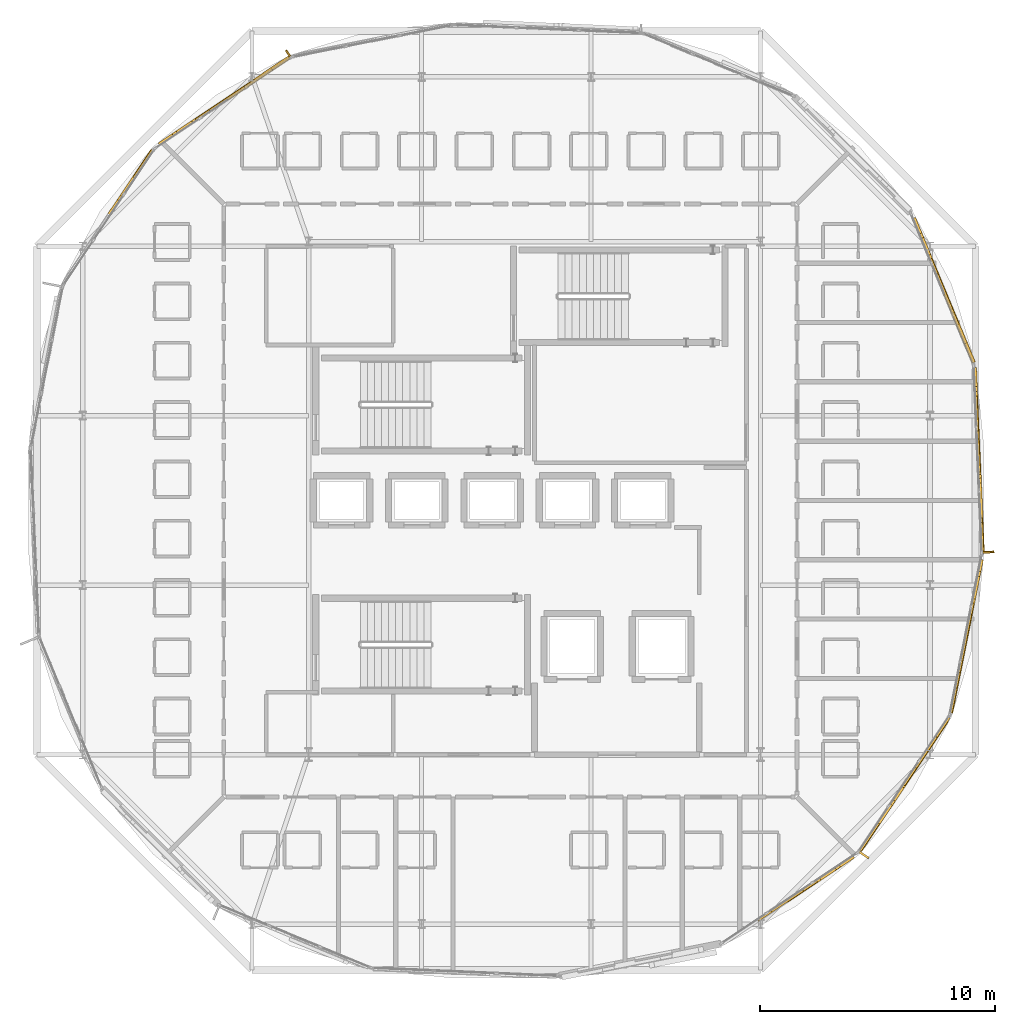
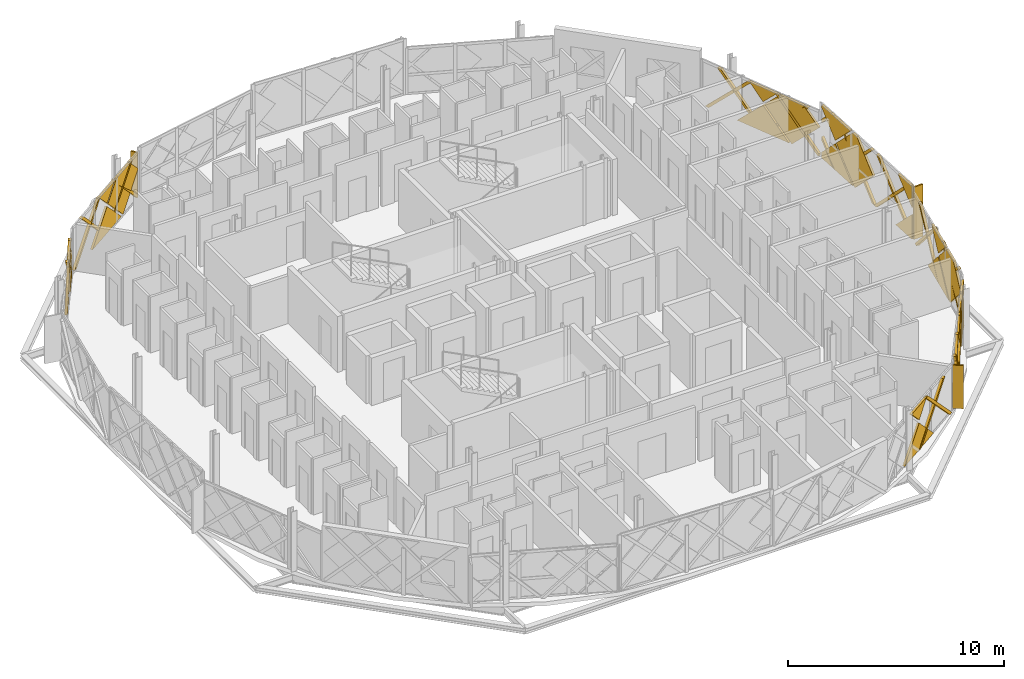
# One storey, part 23 of 24: 47 coverings, 3 shading devices.
"""IFC4 building model written with IfcOpenShell, lengths in metres."""

from ifc_helpers import new_model, si_unit, direction, frame, origin, origin_2d, place, context, subcontext, project, spatial, polyline, rectangle, outline, extrude, material, layer, layer_set, type_object, element, save


model = new_model("IFC4")

# Units and contexts
model_context = context("Model", 3, precision=1e-05, world=origin(), true_north=direction((0.0, 1.0)))
body_context = subcontext(model_context, "Body", "Model", "MODEL_VIEW")
ifc_project = project(units=[si_unit("LENGTHUNIT", "METRE"), si_unit("AREAUNIT", "SQUARE_METRE"), si_unit("VOLUMEUNIT", "CUBIC_METRE"), si_unit("PLANEANGLEUNIT", "RADIAN"), si_unit("MASSUNIT", "GRAM", prefix="KILO")], contexts=[model_context])

# Site, building, storey
site_placement = place(None, origin())
site = spatial("IfcSite", under=ifc_project, at=site_placement, CompositionType="ELEMENT")
building_placement = place(site_placement, origin())
building = spatial("IfcBuilding", under=site, at=building_placement, Name="Zevrakil Square Congress Hotel", CompositionType="ELEMENT")
storey_placement = place(building_placement, frame((0.0, 0.0, 35.10009765625)))
storey = spatial("IfcBuildingStorey", under=building, at=storey_placement, Name="L10", CompositionType="ELEMENT", Elevation=35.10009765625)

# Coverings
ifc_material_1 = material(Name="Architectural White Fibre-C GRC", Category="concrete")
ifc_layer_1 = layer(ifc_material_1, 0.06494140625)
ifc_layer_set_1 = layer_set([ifc_layer_1], Name="Architectural White Fibre-C GRC")
covering_type_1 = type_object("IfcCoveringType", Name="COV-DIA-WHITE", PredefinedType="CLADDING", material=ifc_layer_set_1)
covering_1_placement = place(storey_placement, frame((157.1640625, 10.55322265625, 1.58984375), z_axis=(0.555557978924, -0.831477563043, 0.000627862189), x_axis=(0.588198863079, 0.392475548484, -0.70709620372)))
element("IfcCovering", 1, at=covering_1_placement, inside=storey, type_object=covering_type_1, Name="L10 45-degree white GRC diamond facade cassette 3087", PredefinedType="CLADDING", context=body_context, shape_type="SweptSolid", body=[
    extrude(outline(polyline([(0.0, 0.0), (2.1355082344953917, -4.440892098500626e-16), (7.921204851379926e-05, -2.1353659787443657), (0.0, 0.0)])), origin(), (0.0, 0.0, -1.0), 0.1201171875),
])
covering_2_placement = place(storey_placement, frame((157.1640625, 10.55322265625, 1.77001953125), z_axis=(0.555579993223, -0.831462615511, 0.000888896987), x_axis=(-0.588337126481, -0.392368633875, 0.707040508567)))
element("IfcCovering", 2, at=covering_2_placement, inside=storey, type_object=covering_type_1, Name="L10 45-degree white GRC diamond facade cassette 3089", PredefinedType="CLADDING", context=body_context, shape_type="SweptSolid", body=[
    extrude(outline(polyline([(0.0, 0.0), (1.1312006565523738, -1.1102230246251565e-16), (-0.00026008518020848026, -1.1312495759867551), (0.0, 0.0)])), origin(), (0.0, 0.0, -1.0), 0.1201171875),
])
covering_3_placement = place(storey_placement, frame((161.06103515625, 13.859619140625, 0.079833984375), z_axis=(0.83143696172, -0.555618744306, 0.000624229289), x_axis=(-0.555618852558, -0.831437123709, 0.0)))
element("IfcCovering", 3, at=covering_3_placement, inside=storey, type_object=covering_type_1, Name="L10 45-degree white GRC diamond facade cassette 3094", PredefinedType="CLADDING", context=body_context, shape_type="SweptSolid", body=[
    extrude(outline(polyline([(0.0, 0.0), (1.4100444252712594, 1.0842021724855044e-19), (1.410045397514974, -1.4101565247423773), (0.0, 0.0)])), origin(), (0.0, 0.0, -1.0), 0.1201171875),
])
covering_4_placement = place(storey_placement, frame((163.954833984375, 18.192138671875, 1.58984375), z_axis=(0.831500911431, -0.555523114387, 0.000551063103), x_axis=(0.393265910629, 0.587934905088, -0.706876559886)))
element("IfcCovering", 4, at=covering_4_placement, inside=storey, type_object=covering_type_1, Name="L10 45-degree white GRC diamond facade cassette 3095", PredefinedType="CLADDING", context=body_context, shape_type="SweptSolid", body=[
    extrude(outline(polyline([(0.0, 0.0), (0.2624884096008461, 2.7755575615628914e-17), (1.198625128202432, -0.9369367464234064), (-0.0007264245541049874, -2.1355081102954694), (0.0, 0.0)])), origin(), (0.0, 0.0, -1.0), 0.1201171875),
])
covering_5_placement = place(storey_placement, frame((163.90478515625, 18.1171875, 1.679931640625), z_axis=(0.831456289762, -0.555589850759, 0.000596613623), x_axis=(-0.392494232633, -0.588138327317, -0.707136185816)))
element("IfcCovering", 5, at=covering_5_placement, inside=storey, type_object=covering_type_1, Name="L10 45-degree white GRC diamond facade cassette 3096", PredefinedType="CLADDING", context=body_context, shape_type="SweptSolid", body=[
    extrude(outline(polyline([(0.0, 0.0), (2.2486303584631306, 2.220446049250313e-16), (2.248539757424969, -2.2487276215386878), (0.9899569613863572, -2.2485905336373424), (-0.00011098493823047395, -1.2584400080724292), (0.0, 0.0)])), origin(), (0.0, 0.0, -1.0), 0.1201171875),
])
covering_6_placement = place(storey_placement, frame((163.95458984375, 18.192138671875, 1.77001953125), z_axis=(0.831360580533, -0.555733111442, 0.000542202423), x_axis=(-0.39330186769, -0.587678306922, 0.707069903506)))
element("IfcCovering", 6, at=covering_6_placement, inside=storey, type_object=covering_type_1, Name="L10 45-degree white GRC diamond facade cassette 3097", PredefinedType="CLADDING", context=body_context, shape_type="SweptSolid", body=[
    extrude(outline(polyline([(0.0, 0.0), (1.131153573380724, 2.220446049250313e-16), (0.4342725950457913, -0.6968085559852205), (-0.0002426590941996265, -0.2626318785332912), (0.0, 0.0)])), origin(), (0.0, 0.0, -1.0), 0.1201171875),
])
covering_7_placement = place(storey_placement, frame((164.782958984375, 21.759033203125, 1.58984375), z_axis=(0.980772761195, -0.195152113874, 0.00066584368), x_axis=(0.138452026145, 0.693403417479, -0.70712285855)))
element("IfcCovering", 7, at=covering_7_placement, inside=storey, type_object=covering_type_1, Name="L10 45-degree white GRC diamond facade cassette 3102", PredefinedType="CLADDING", context=body_context, shape_type="SweptSolid", body=[
    extrude(outline(polyline([(0.0, 0.0), (2.1354277370134915, 0.0), (2.8945028464733014e-05, -2.13549684649022), (0.0, 0.0)])), origin(), (0.0, 0.0, -1.0), 0.1201171875),
])
covering_8_placement = place(storey_placement, frame((164.765380859375, 21.670654296875, 1.679931640625), z_axis=(0.980787088009, -0.195079992751, 0.000696005278), x_axis=(-0.137451639194, -0.693576874372, -0.707147909718)))
element("IfcCovering", 8, at=covering_8_placement, inside=storey, type_object=covering_type_1, Name="L10 45-degree white GRC diamond facade cassette 3103", PredefinedType="CLADDING", context=body_context, shape_type="SweptSolid", body=[
    extrude(outline(polyline([(0.0, 0.0), (2.2485930626720108, 0.0), (2.248500869508215, -2.2346067756136514), (2.2343440998312354, -2.2487618916370082), (0.7068161708576068, -2.2486062602953987), (-0.00019607622949335823, -1.5415114143753093), (0.0, 0.0)])), origin(), (0.0, 0.0, -1.0), 0.1201171875),
])
covering_9_placement = place(storey_placement, frame((164.782958984375, 21.759033203125, 1.77001953125), z_axis=(0.980791102763, -0.195059636866, 0.000742163849), x_axis=(-0.138447362752, -0.6934452072, 0.707082790314)))
element("IfcCovering", 9, at=covering_9_placement, inside=storey, type_object=covering_type_1, Name="L10 45-degree white GRC diamond facade cassette 3104", PredefinedType="CLADDING", context=body_context, shape_type="SweptSolid", body=[
    extrude(outline(polyline([(0.0, 0.0), (1.4142615457461019, 0.0), (-6.245951028127639e-05, -1.4142288180706921), (0.0, 0.0)])), origin(), (0.0, 0.0, -1.0), 0.1201171875),
])
covering_10_placement = place(storey_placement, frame((165.431884765625, 26.86572265625, 0.079833984375), z_axis=(0.999069914928, 0.04311410898, 0.000691876672), x_axis=(0.0431141193, -0.999070154052, 0.0)))
element("IfcCovering", 10, at=covering_10_placement, inside=storey, type_object=covering_type_1, Name="L10 45-degree white GRC diamond facade cassette 3109", PredefinedType="CLADDING", context=body_context, shape_type="SweptSolid", body=[
    extrude(outline(polyline([(0.0, 0.0), (1.410002491353587, 0.0), (1.4099603877214584, -1.4101565875163165), (0.0, 0.0)])), origin(), (0.0, 0.0, -1.0), 0.1201171875),
])
covering_11_placement = place(storey_placement, frame((165.206298828125, 32.07080078125, 1.58984375), z_axis=(0.999072332964, 0.04305908874, 0.000623203844), x_axis=(-0.03000831001, 0.706497228156, -0.707079322239)))
element("IfcCovering", 11, at=covering_11_placement, inside=storey, type_object=covering_type_1, Name="L10 45-degree white GRC diamond facade cassette 3110", PredefinedType="CLADDING", context=body_context, shape_type="SweptSolid", body=[
    extrude(outline(polyline([(0.0, 0.0), (1.674609861417507, -1.1102230246251565e-16), (1.9050592966908564, -0.23048211157799214), (-6.421104154585855e-05, -2.135458369159787), (0.0, 0.0)])), origin(), (0.0, 0.0, -1.0), 0.1201171875),
])
covering_12_placement = place(storey_placement, frame((165.210205078125, 31.98095703125, 1.679931640625), z_axis=(0.999072417027, 0.043058399883, 0.000528900308), x_axis=(0.030820977925, -0.706445329713, -0.707096219369)))
element("IfcCovering", 12, at=covering_12_placement, inside=storey, type_object=covering_type_1, Name="L10 45-degree white GRC diamond facade cassette 3111", PredefinedType="CLADDING", context=body_context, shape_type="SweptSolid", body=[
    extrude(outline(polyline([(0.0, 0.0), (2.2487574694643095, 2.220446049250313e-16), (2.2487719945080262, -2.2487054252502534), (0.26167837786262316, -2.2486530022174818), (6.666088238171941e-05, -1.9870489813158376), (0.0, 0.0)])), origin(), (0.0, 0.0, -1.0), 0.1201171875),
])
covering_13_placement = place(storey_placement, frame((165.491455078125, 25.45703125, 1.869873046875), z_axis=(0.999075204895, 0.042992578694, 0.000610853565), x_axis=(-0.000602772633, -0.000200924211, 0.999999798147)))
element("IfcCovering", 13, at=covering_13_placement, inside=storey, type_object=covering_type_1, Name="L10 45-degree white GRC diamond facade cassette 3112", PredefinedType="CLADDING", context=body_context, shape_type="SweptSolid", body=[
    extrude(outline(polyline([(0.0, 0.0), (1.215088135893837, 2.710505431213761e-20), (1.214875684048661, -1.215234926365186), (0.0, 0.0)])), origin(), (0.0, 0.0, -1.0), 0.1201171875),
])
covering_14_placement = place(storey_placement, frame((165.206298828125, 32.07080078125, 1.77001953125), z_axis=(0.999069709554, 0.043118494752, 0.000714746113), x_axis=(0.029984078193, -0.70646232718, 0.707115220689)))
element("IfcCovering", 14, at=covering_14_placement, inside=storey, type_object=covering_type_1, Name="L10 45-degree white GRC diamond facade cassette 3113", PredefinedType="CLADDING", context=body_context, shape_type="SweptSolid", body=[
    extrude(outline(polyline([(0.0, 0.0), (1.859585623802198, 2.220446049250313e-16), (0.09243640929196595, -1.767192452853652), (-8.892620878453439e-05, -1.674654486020137), (0.0, 0.0)])), origin(), (0.0, 0.0, -1.0), 0.1201171875),
])
covering_15_placement = place(storey_placement, frame((163.858154296875, 36.489990234375, 1.58984375), z_axis=(0.923880735009, 0.382680146954, 0.000540931678), x_axis=(-0.270254610078, 0.653458270391, -0.707074772983)))
element("IfcCovering", 15, at=covering_15_placement, inside=storey, type_object=covering_type_1, Name="L10 45-degree white GRC diamond facade cassette 3120", PredefinedType="CLADDING", context=body_context, shape_type="SweptSolid", body=[
    extrude(outline(polyline([(0.0, 0.0), (2.135572959638723, -2.220446049250313e-16), (-0.0001106088210092171, -2.135490856824391), (0.0, 0.0)])), origin(), (0.0, 0.0, -1.0), 0.1201171875),
])
covering_16_placement = place(storey_placement, frame((163.892578125, 36.406982421875, 1.679931640625), z_axis=(0.923881412104, 0.382678495657, 0.000552566903), x_axis=(0.270952550323, -0.65312605624, -0.70711460891)))
element("IfcCovering", 16, at=covering_16_placement, inside=storey, type_object=covering_type_1, Name="L10 45-degree white GRC diamond facade cassette 3121", PredefinedType="CLADDING", context=body_context, shape_type="SweptSolid", body=[
    extrude(outline(polyline([(0.0, 0.0), (2.2486988318423133, 0.0), (2.2485974346117263, -2.2344917736285472), (2.234441331601314, -2.248647558900216), (0.9900189399312108, -2.2485537641688196), (9.419838686119952e-05, -1.2586067199510789), (0.0, 0.0)])), origin(), (0.0, 0.0, -1.0), 0.1201171875),
])
covering_17_placement = place(storey_placement, frame((163.85791015625, 36.489990234375, 1.77001953125), z_axis=(0.923882884011, 0.382675189612, 0.000340421392), x_axis=(0.270411556851, -0.653476611448, 0.706997813442)))
element("IfcCovering", 17, at=covering_17_placement, inside=storey, type_object=covering_type_1, Name="L10 45-degree white GRC diamond facade cassette 3122", PredefinedType="CLADDING", context=body_context, shape_type="SweptSolid", body=[
    extrude(outline(polyline([(0.0, 0.0), (1.1312689690026967, -1.1102230246251565e-16), (-0.0003211352205888529, -1.131241551515269), (0.0, 0.0)])), origin(), (0.0, 0.0, -1.0), 0.1201171875),
])
covering_18_placement = place(storey_placement, frame((133.23583984375, 44.646728515625, 1.58984375), z_axis=(-0.555558008014, 0.831477606581, 0.000538038776), x_axis=(-0.588124084875, -0.39250194078, -0.707143752906)))
element("IfcCovering", 18, at=covering_18_placement, inside=storey, type_object=covering_type_1, Name="L10 45-degree white GRC diamond facade cassette 3160", PredefinedType="CLADDING", context=body_context, shape_type="SweptSolid", body=[
    extrude(outline(polyline([(0.0, 0.0), (2.1353646403852276, 4.440892098500626e-16), (7.910572278801986e-05, -2.1355094611236565), (0.0, 0.0)])), origin(), (0.0, 0.0, -1.0), 0.1201171875),
])
covering_19_placement = place(storey_placement, frame((133.310791015625, 44.69677734375, 1.679931640625), z_axis=(-0.555587798216, 0.83145766757, 0.000587802796), x_axis=(0.587674332414, 0.393189404027, -0.707135751877)))
element("IfcCovering", 19, at=covering_19_placement, inside=storey, type_object=covering_type_1, Name="L10 45-degree white GRC diamond facade cassette 3161", PredefinedType="CLADDING", context=body_context, shape_type="SweptSolid", body=[
    extrude(outline(polyline([(0.0, 0.0), (2.2486316272738422, -4.440892098500626e-16), (2.2485334519575586, -2.2345619601711744), (2.234376925674863, -2.2487173215795653), (0.9898617145539665, -2.2484934030758885), (-6.32508218826322e-05, -1.2584869709503237), (0.0, 0.0)])), origin(), (0.0, 0.0, -1.0), 0.1201171875),
])
covering_20_placement = place(storey_placement, frame((133.236083984375, 44.646728515625, 1.77001953125), z_axis=(-0.555580152521, 0.83146285391, 0.000465501941), x_axis=(0.588146150785, 0.39260104524, 0.707070381641)))
element("IfcCovering", 20, at=covering_20_placement, inside=storey, type_object=covering_type_1, Name="L10 45-degree white GRC diamond facade cassette 3162", PredefinedType="CLADDING", context=body_context, shape_type="SweptSolid", body=[
    extrude(outline(polyline([(0.0, 0.0), (1.1311528643640076, 1.1102230246251565e-16), (-0.00026041233131268715, -1.131297047892293), (0.0, 0.0)])), origin(), (0.0, 0.0, -1.0), 0.1201171875),
])
covering_21_placement = place(storey_placement, frame((129.339111328125, 41.34033203125, 0.079833984375), z_axis=(-0.831516946719, 0.555499034793, 0.000624229382), x_axis=(0.555499143022, 0.831517108725, 0.0)))
element("IfcCovering", 21, at=covering_21_placement, inside=storey, type_object=covering_type_1, Name="L10 45-degree white GRC diamond facade cassette 3167", PredefinedType="CLADDING", context=body_context, shape_type="SweptSolid", body=[
    extrude(outline(polyline([(0.0, 0.0), (1.4099087907496117, 1.0842021724855044e-19), (1.40990963626026, -1.410156524742459), (0.0, 0.0)])), origin(), (0.0, 0.0, -1.0), 0.1201171875),
])
ifc_material_2 = material(Name="Anodised Champagne Aluminium", Category="aluminium")
ifc_layer_2 = layer(ifc_material_2, 0.0849609375)
ifc_layer_set_2 = layer_set([ifc_layer_2], Name="Anodised Champagne Aluminium")
covering_type_2 = type_object("IfcCoveringType", Name="COV-DIAGRID-45", PredefinedType="MOLDING", material=ifc_layer_set_2)
covering_22_placement = place(storey_placement, frame((157.333251953125, 10.635009765625, 0.079833984375), z_axis=(0.555761825795, -0.831341447488, 0.000436667693), x_axis=(-0.831341526781, -0.55576187873, 1.39554e-07)))
element("IfcCovering", 22, at=covering_22_placement, inside=storey, type_object=covering_type_2, Name="L10 45-degree aluminium diagrid rib 3091", PredefinedType="MOLDING", context=body_context, shape_type="SweptSolid", body=[
    extrude(outline(polyline([(0.0, 0.0), (0.21227854279521902, 1.3552527156068805e-20), (-2.277848917010127, -2.4899907896530915), (-2.489924495565409, -2.489990848873609), (0.0, 0.0)])), origin(), (0.0, 0.0, -1.0), 0.14501953125),
])
covering_23_placement = place(storey_placement, frame((157.746337890625, 10.912841796875, 2.56982421875), z_axis=(0.555364037055, -0.831607288647, 0.000322202538), x_axis=(0.831607331768, 0.555364065951, 2.57227e-07)))
element("IfcCovering", 23, at=covering_23_placement, inside=storey, type_object=covering_type_2, Name="L10 45-degree aluminium diagrid rib 3093", PredefinedType="MOLDING", context=body_context, shape_type="SweptSolid", body=[
    extrude(outline(polyline([(0.0, 0.0), (0.21207552182393452, 0.0), (2.7021316635753645, -2.489991058683902), (2.4899886995478613, -2.489990949563599), (0.0, 0.0)])), origin(), (0.0, 0.0, -1.0), 0.14501953125),
])
covering_24_placement = place(storey_placement, frame((160.34619140625, 12.7451171875, 0.079833984375), z_axis=(0.831532468846, -0.555475968052, 0.000449635772), x_axis=(-0.555476024046, -0.831532553007, -4.19384e-07)))
element("IfcCovering", 24, at=covering_24_placement, inside=storey, type_object=covering_type_2, Name="L10 45-degree aluminium diagrid rib 3098", PredefinedType="MOLDING", context=body_context, shape_type="SweptSolid", body=[
    extrude(outline(polyline([(0.0, 0.0), (0.08626559357836702, 3.3881317890172014e-21), (0.08626554064341796, -0.1262206903658216), (-2.2779147338176893, -2.4899895259820735), (-2.4899902765142397, -2.4899893737523624), (0.0, 0.0)])), origin(), (0.0, 0.0, -1.0), 0.14501953125),
])
covering_25_placement = place(storey_placement, frame((162.212890625, 15.538818359375, 0.079833984375), z_axis=(0.831607288647, -0.555364037055, 0.000322202538), x_axis=(-0.555364065814, -0.83160733186, -2.57145e-07)))
element("IfcCovering", 25, at=covering_25_placement, inside=storey, type_object=covering_type_2, Name="L10 45-degree aluminium diagrid rib 3099", PredefinedType="MOLDING", context=body_context, shape_type="SweptSolid", body=[
    extrude(outline(polyline([(0.0, 0.0), (0.21214296402753097, 0.0), (-2.277914458504103, -2.4899897778695617), (-2.48998998032801, -2.489989668783949), (0.0, 0.0)])), origin(), (0.0, 0.0, -1.0), 0.14501953125),
])
for number, where, z_axis, x_axis, name in (
    (26, (160.62158203125, 13.159912109375, 2.56982421875), (0.831341474316, -0.55576184373, 0.00035515565), (0.555761878814, 0.831341526725, -1.13613e-07), "L10 45-degree aluminium diagrid rib 3100"),
    (27, (162.48828125, 15.95361328125, 2.56982421875), (0.831341474316, -0.55576184373, 0.00035515565), (0.555761878814, 0.831341526725, -1.13613e-07), "L10 45-degree aluminium diagrid rib 3101"),
):
    element("IfcCovering", number, at=place(storey_placement, frame(where, z_axis=z_axis, x_axis=x_axis)), inside=storey, type_object=covering_type_2, Name=name, PredefinedType="MOLDING", context=body_context, shape_type="SweptSolid", body=[
        extrude(outline(polyline([(0.0, 0.0), (0.2120755785552898, 0.0), (2.702067984692048, -2.48999008442392), (2.489789441896835, -2.4899901326359375), (0.0, 0.0)])), origin(), (0.0, 0.0, -1.0), 0.14501953125),
    ])
covering_26_placement = place(storey_placement, frame((164.189208984375, 18.64111328125, 0.079833984375), z_axis=(0.980854983247, -0.19473940969, 0.000253282643), x_axis=(-0.194739415815, -0.980855014733, -4.89657e-07)))
element("IfcCovering", 28, at=covering_26_placement, inside=storey, type_object=covering_type_2, Name="L10 45-degree aluminium diagrid rib 3105", PredefinedType="MOLDING", context=body_context, shape_type="SweptSolid", body=[
    extrude(outline(polyline([(0.0, 0.0), (0.08608840707353514, -8.470329472543003e-22), (0.08613588907135135, -0.12622075975232586), (-2.477742352056375, -2.6901843971758326), (-2.689802760705215, -2.6901843028299095), (0.0, 0.0)])), origin(), (0.0, 0.0, -1.0), 0.14501953125),
])
covering_27_placement = place(storey_placement, frame((164.8447265625, 21.936279296875, 0.079833984375), z_axis=(0.980668405239, -0.195673273346, 0.001203770387), x_axis=(-0.195673415438, -0.980669115702, 2.71424e-07)))
element("IfcCovering", 29, at=covering_27_placement, inside=storey, type_object=covering_type_2, Name="L10 45-degree aluminium diagrid rib 3106", PredefinedType="MOLDING", context=body_context, shape_type="SweptSolid", body=[
    extrude(outline(polyline([(0.0, 0.0), (0.21186862746250806, 6.776263578034403e-21), (-2.4779302670312555, -2.690188168572306), (-2.6902777368354145, -2.6901882837149036), (0.0, 0.0)])), origin(), (0.0, 0.0, -1.0), 0.14501953125),
])
covering_28_placement = place(storey_placement, frame((164.245849609375, 18.93359375, 2.77001953125), z_axis=(0.980888778361, -0.1945659666, 0.001135396772), x_axis=(0.19456609201, 0.980889410606, 0.0)))
element("IfcCovering", 30, at=covering_28_placement, inside=storey, type_object=covering_type_2, Name="L10 45-degree aluminium diagrid rib 3107", PredefinedType="MOLDING", context=body_context, shape_type="SweptSolid", body=[
    extrude(outline(polyline([(0.0, 0.0), (0.21206041195957603, 0.0), (2.9020004939851454, -2.6901872808705156), (2.68994008202557, -2.6901872808705156), (0.0, 0.0)])), origin(), (0.0, 0.0, -1.0), 0.14501953125),
])
covering_29_placement = place(storey_placement, frame((164.9013671875, 22.22900390625, 2.77001953125), z_axis=(0.98077927122, -0.195119819803, 0.000526369557), x_axis=(0.19511984668, 0.98077940712, 2.97175e-07)))
element("IfcCovering", 31, at=covering_29_placement, inside=storey, type_object=covering_type_2, Name="L10 45-degree aluminium diagrid rib 3108", PredefinedType="MOLDING", context=body_context, shape_type="SweptSolid", body=[
    extrude(outline(polyline([(0.0, 0.0), (0.21206037816296852, 0.0), (2.902000956484423, -2.6901867819560454), (2.689892941640136, -2.6901866559037), (0.0, 0.0)])), origin(), (0.0, 0.0, -1.0), 0.14501953125),
])
covering_30_placement = place(storey_placement, frame((165.513916015625, 25.544189453125, 0.079833984375), z_axis=(0.99907912298, 0.042897825787, 0.000826177195), x_axis=(0.042897840125, -0.999079463963, 3.66524e-07)))
element("IfcCovering", 32, at=covering_30_placement, inside=storey, type_object=covering_type_2, Name="L10 45-degree aluminium diagrid rib 3114", PredefinedType="MOLDING", context=body_context, shape_type="SweptSolid", body=[
    extrude(outline(polyline([(0.0, 0.0), (0.08625940390156074, -4.235164736271502e-22), (0.08625945016446758, -0.12622066004782992), (-2.7927166554023874, -3.0051290291272466), (-3.004823148274569, -3.0051290525334355), (0.0, 0.0)])), origin(), (0.0, 0.0, -1.0), 0.14501953125),
])
covering_31_placement = place(storey_placement, frame((165.368896484375, 28.90087890625, 0.079833984375), z_axis=(0.999067936967, 0.043162497277, 0.000506116428), x_axis=(0.043162502952, -0.999068064918, -2.90991e-07)))
element("IfcCovering", 33, at=covering_31_placement, inside=storey, type_object=covering_type_2, Name="L10 45-degree aluminium diagrid rib 3115", PredefinedType="MOLDING", context=body_context, shape_type="SweptSolid", body=[
    extrude(outline(polyline([(0.0, 0.0), (0.2121170057277659, -8.470329472543003e-22), (-2.7929525750085347, -3.0051265252875625), (-3.0050590430158532, -3.005126401842201), (0.0, 0.0)])), origin(), (0.0, 0.0, -1.0), 0.14501953125),
])
covering_32_placement = place(storey_placement, frame((165.22412109375, 32.2578125, 0.079833984375), z_axis=(0.999069313343, 0.04313018463, 0.000542503642), x_axis=(0.043130191156, -0.999069460353, -3.29458e-07)))
element("IfcCovering", 34, at=covering_32_placement, inside=storey, type_object=covering_type_2, Name="L10 45-degree aluminium diagrid rib 3116", PredefinedType="MOLDING", context=body_context, shape_type="SweptSolid", body=[
    extrude(outline(polyline([(0.0, 0.0), (0.2121170016725189, -8.470329472543003e-22), (-0.9980277377322964, -1.2104490680658713), (-0.9980171380033092, -0.9982907638405849), (0.0, 0.0)])), origin(), (0.0, 0.0, -1.0), 0.14501953125),
])
covering_33_placement = place(storey_placement, frame((165.5126953125, 25.52685546875, 3.0849609375), z_axis=(0.999092712337, 0.042588053406, 9.9308818e-05), x_axis=(-0.042588053616, 0.999092717264, 0.0)))
element("IfcCovering", 35, at=covering_33_placement, inside=storey, type_object=covering_type_2, Name="L10 45-degree aluminium diagrid rib 3117", PredefinedType="MOLDING", context=body_context, shape_type="SweptSolid", body=[
    extrude(outline(polyline([(0.0, 0.0), (0.212106503068509, 3.1763735522036263e-22), (3.217261724979922, -3.0051269679436436), (3.005155221911413, -3.0051269679436436), (0.0, 0.0)])), origin(), (0.0, 0.0, -1.0), 0.14501953125),
])
covering_34_placement = place(storey_placement, frame((165.367919921875, 28.8837890625, 3.0849609375), z_axis=(0.999092712674, 0.04258805342, 9.5848906e-05), x_axis=(-0.042588053616, 0.999092717264, 0.0)))
element("IfcCovering", 36, at=covering_34_placement, inside=storey, type_object=covering_type_2, Name="L10 45-degree aluminium diagrid rib 3118", PredefinedType="MOLDING", context=body_context, shape_type="SweptSolid", body=[
    extrude(outline(polyline([(0.0, 0.0), (0.212106503068509, 1.0587911840678754e-22), (3.2170178058594963, -3.00512696692907), (3.0049113027909873, -3.00512696692907), (0.0, 0.0)])), origin(), (0.0, 0.0, -1.0), 0.14501953125),
])
covering_35_placement = place(storey_placement, frame((165.22314453125, 32.240478515625, 3.0849609375), z_axis=(0.99906665766, 0.043192223182, 0.000495386704), x_axis=(-0.043192228321, 0.999066780257, -3.23832e-07)))
element("IfcCovering", 37, at=covering_35_placement, inside=storey, type_object=covering_type_2, Name="L10 45-degree aluminium diagrid rib 3119", PredefinedType="MOLDING", context=body_context, shape_type="SweptSolid", body=[
    extrude(outline(polyline([(0.0, 0.0), (0.21235037707299328, 8.470329472543003e-22), (1.015334900882503, -0.8032224260108469), (1.0153244246084734, -1.0153807239377424), (0.0, 0.0)])), origin(), (0.0, 0.0, -1.0), 0.14501953125),
])
covering_36_placement = place(storey_placement, frame((165.0966796875, 33.567626953125, 0.079833984375), z_axis=(0.924138138029, 0.382056188574, 0.001330643768), x_axis=(0.382056527777, -0.924138955776, -7.85651e-07)))
element("IfcCovering", 38, at=covering_36_placement, inside=storey, type_object=covering_type_2, Name="L10 45-degree aluminium diagrid rib 3123", PredefinedType="MOLDING", context=body_context, shape_type="SweptSolid", body=[
    extrude(outline(polyline([(0.0, 0.0), (0.08614427022285208, 6.776263578034403e-21), (0.0860508955379486, -0.12622089152729463), (-2.27781484243976, -2.489990614358163), (-2.489955064292768, -2.4899904550780283), (0.0, 0.0)])), origin(), (0.0, 0.0, -1.0), 0.14501953125),
])
covering_37_placement = place(storey_placement, frame((163.810791015625, 36.671875, 0.079833984375), z_axis=(0.92372223366, 0.383062893909, 0.000233135676), x_axis=(0.383062904319, -0.923722258763, 0.0)))
element("IfcCovering", 39, at=covering_37_placement, inside=storey, type_object=covering_type_2, Name="L10 45-degree aluminium diagrid rib 3124", PredefinedType="MOLDING", context=body_context, shape_type="SweptSolid", body=[
    extrude(outline(polyline([(0.0, 0.0), (0.21223362327273487, 0.0), (-2.2777215941425113, -2.4899903020432803), (-2.489955217415246, -2.4899903020432803), (0.0, 0.0)])), origin(), (0.0, 0.0, -1.0), 0.14501953125),
])
covering_38_placement = place(storey_placement, frame((164.90478515625, 34.027099609375, 2.56982421875), z_axis=(0.923841219965, 0.382775334129, 0.000666239992), x_axis=(-0.38277541939, 0.923841424873, 5.01229e-07)))
element("IfcCovering", 40, at=covering_38_placement, inside=storey, type_object=covering_type_2, Name="L10 45-degree aluminium diagrid rib 3125", PredefinedType="MOLDING", context=body_context, shape_type="SweptSolid", body=[
    extrude(outline(polyline([(0.0, 0.0), (0.21200806577262243, 2.0328790734103208e-20), (2.7019680576544967, -2.4899921413047092), (2.489827895689129, -2.489991928709105), (0.0, 0.0)])), origin(), (0.0, 0.0, -1.0), 0.14501953125),
])
covering_39_placement = place(storey_placement, frame((163.618896484375, 37.131103515625, 2.56982421875), z_axis=(0.92372172099, 0.383062681307, 0.001079055525), x_axis=(-0.383062904319, 0.923722258763, 0.0)))
element("IfcCovering", 41, at=covering_39_placement, inside=storey, type_object=covering_type_2, Name="L10 45-degree aluminium diagrid rib 3126", PredefinedType="MOLDING", context=body_context, shape_type="SweptSolid", body=[
    extrude(outline(polyline([(0.0, 0.0), (0.21223362327273487, -1.3552527156068805e-20), (2.702419694862969, -2.4899916839998104), (2.490186071590234, -2.4899916839998104), (0.0, 0.0)])), origin(), (0.0, 0.0, -1.0), 0.14501953125),
])
covering_40_placement = place(storey_placement, frame((135.860595703125, 46.431640625, 0.079833984375), z_axis=(-0.555642375652, 0.831421245685, 0.000512448496), x_axis=(0.831421354788, 0.555642448705, -2.2583e-07)))
element("IfcCovering", 42, at=covering_40_placement, inside=storey, type_object=covering_type_2, Name="L10 45-degree aluminium diagrid rib 3163", PredefinedType="MOLDING", context=body_context, shape_type="SweptSolid", body=[
    extrude(outline(polyline([(0.0, 0.0), (0.08606259201635355, -3.3881317890172014e-21), (0.08606256351192353, -0.12622068655199895), (-2.278052630847153, -2.4899900483334023), (-2.48999254257385, -2.489989946829687), (0.0, 0.0)])), origin(), (0.0, 0.0, -1.0), 0.14501953125),
])
covering_41_placement = place(storey_placement, frame((133.06689453125, 44.56494140625, 0.079833984375), z_axis=(-0.555629882328, 0.831429585577, 0.000527344064), x_axis=(0.83142970111, 0.555629959697, -2.52371e-07)))
element("IfcCovering", 43, at=covering_41_placement, inside=storey, type_object=covering_type_2, Name="L10 45-degree aluminium diagrid rib 3164", PredefinedType="MOLDING", context=body_context, shape_type="SweptSolid", body=[
    extrude(outline(polyline([(0.0, 0.0), (0.21207556512078024, 0.0), (-2.2780526774660395, -2.4899900056841715), (-2.4899925907411906, -2.4899898986750673), (0.0, 0.0)])), origin(), (0.0, 0.0, -1.0), 0.14501953125),
])
covering_42_placement = place(storey_placement, frame((135.447509765625, 46.15380859375, 2.56982421875), z_axis=(-0.55576168205, 0.831341232466, 0.000841407264), x_axis=(-0.831341526873, -0.555761878592, -2.68905e-07)))
element("IfcCovering", 44, at=covering_42_placement, inside=storey, type_object=covering_type_2, Name="L10 45-degree aluminium diagrid rib 3165", PredefinedType="MOLDING", context=body_context, shape_type="SweptSolid", body=[
    extrude(outline(polyline([(0.0, 0.0), (0.21227854279522462, -1.3552527156068805e-20), (2.7021322805237746, -2.4899903891729647), (2.490056701968509, -2.489990503283934), (0.0, 0.0)])), origin(), (0.0, 0.0, -1.0), 0.14501953125),
])
covering_43_placement = place(storey_placement, frame((132.65380859375, 44.287109375, 2.56982421875), z_axis=(-0.555098369614, 0.831784707214, 2.994881e-05), x_axis=(-0.831784707587, -0.555098369863, 1.4325e-08)))
element("IfcCovering", 45, at=covering_43_placement, inside=storey, type_object=covering_type_2, Name="L10 45-degree aluminium diagrid rib 3166", PredefinedType="MOLDING", context=body_context, shape_type="SweptSolid", body=[
    extrude(outline(polyline([(0.0, 0.0), (0.21227852935282332, 4.235164736271502e-22), (2.7023354592505657, -2.4899902742026176), (2.4901924519606973, -2.4899902681227815), (0.0, 0.0)])), origin(), (0.0, 0.0, -1.0), 0.14501953125),
])
covering_44_placement = place(storey_placement, frame((130.0537109375, 42.455078125, 0.079833984375), z_axis=(-0.831267021276, 0.555872468519, 0.000968545749), x_axis=(0.555872729373, 0.831267411089, 1.58542e-07)))
element("IfcCovering", 46, at=covering_44_placement, inside=storey, type_object=covering_type_2, Name="L10 45-degree aluminium diagrid rib 3171", PredefinedType="MOLDING", context=body_context, shape_type="SweptSolid", body=[
    extrude(outline(polyline([(0.0, 0.0), (0.0860625992202935, 0.0), (0.08619833034709966, -0.1262208404634816), (-2.277776795213044, -2.4899917509652636), (-2.490055327074578, -2.4899918777443415), (0.0, 0.0)])), origin(), (0.0, 0.0, -1.0), 0.14501953125),
])
covering_45_placement = place(storey_placement, frame((129.7783203125, 42.040283203125, 2.56982421875), z_axis=(-0.831607052299, 0.555363879217, 0.000819895191), x_axis=(-0.555364065794, -0.831607331873, 1.30451e-07)))
element("IfcCovering", 47, at=covering_45_placement, inside=storey, type_object=covering_type_2, Name="L10 45-degree aluminium diagrid rib 3173", PredefinedType="MOLDING", context=body_context, shape_type="SweptSolid", body=[
    extrude(outline(polyline([(0.0, 0.0), (0.21193993489378218, 0.0), (2.7022696737445977, -2.489991423809864), (2.489991122786932, -2.489991368470153), (0.0, 0.0)])), origin(), (0.0, 0.0, -1.0), 0.14501953125),
])

# Shading devices
ifc_material_3 = material(Name="Aluminium Anodised Bronze", Category="aluminium")
shading_device_type_1 = type_object("IfcShadingDeviceType", Name="SHD-FIN-35", PredefinedType="JALOUSIE", material=ifc_material_3)
shading_device_1_placement = place(storey_placement, frame((135.940185546875, 46.5751953125, 0.10009765625), z_axis=(0.0, 0.0, 1.0), x_axis=(-0.55557023302, 0.831469612303, 0.0)))
element("IfcShadingDevice", 48, at=shading_device_1_placement, inside=storey, type_object=shading_device_type_1, Name="L10 aluminium solar shading fin 175", PredefinedType="JALOUSIE", context=body_context, shape_type="SweptSolid", body=[
    extrude(rectangle(XDim=0.35009765625, YDim=0.080078125, at=origin_2d()), origin(), (0.0, 0.0, 1.0), 2.449951171875),
])
ifc_material_4 = material(Name="Aluminium Anodised Bronze", Category="aluminium")
shading_device_type_2 = type_object("IfcShadingDeviceType", Name="SHD-FIN-50", PredefinedType="JALOUSIE", material=ifc_material_4)
shading_device_2_placement = place(storey_placement, frame((160.389892578125, 12.540283203125, 0.10009765625), z_axis=(0.0, 0.0, 1.0), x_axis=(0.831469612303, -0.55557023302, 0.0)))
element("IfcShadingDevice", 49, at=shading_device_2_placement, inside=storey, type_object=shading_device_type_2, Name="L10 aluminium solar shading fin 172", PredefinedType="JALOUSIE", context=body_context, shape_type="SweptSolid", body=[
    extrude(rectangle(XDim=0.5, YDim=0.080078125, at=origin_2d()), origin(), (0.0, 0.0, 1.0), 2.449951171875),
])
shading_device_3_placement = place(storey_placement, frame((165.669921875, 25.404541015625, 0.10009765625), z_axis=(0.0, 0.0, 1.0), x_axis=(0.999070923691, 0.043096280984, 0.0)))
element("IfcShadingDevice", 50, at=shading_device_3_placement, inside=storey, type_object=shading_device_type_2, Name="L10 aluminium solar shading fin 173", PredefinedType="JALOUSIE", context=body_context, shape_type="SweptSolid", body=[
    extrude(rectangle(XDim=0.5, YDim=0.080078125, at=origin_2d()), origin(), (0.0, 0.0, 1.0), 2.965087890625),
])

save(model, "model.ifc")
